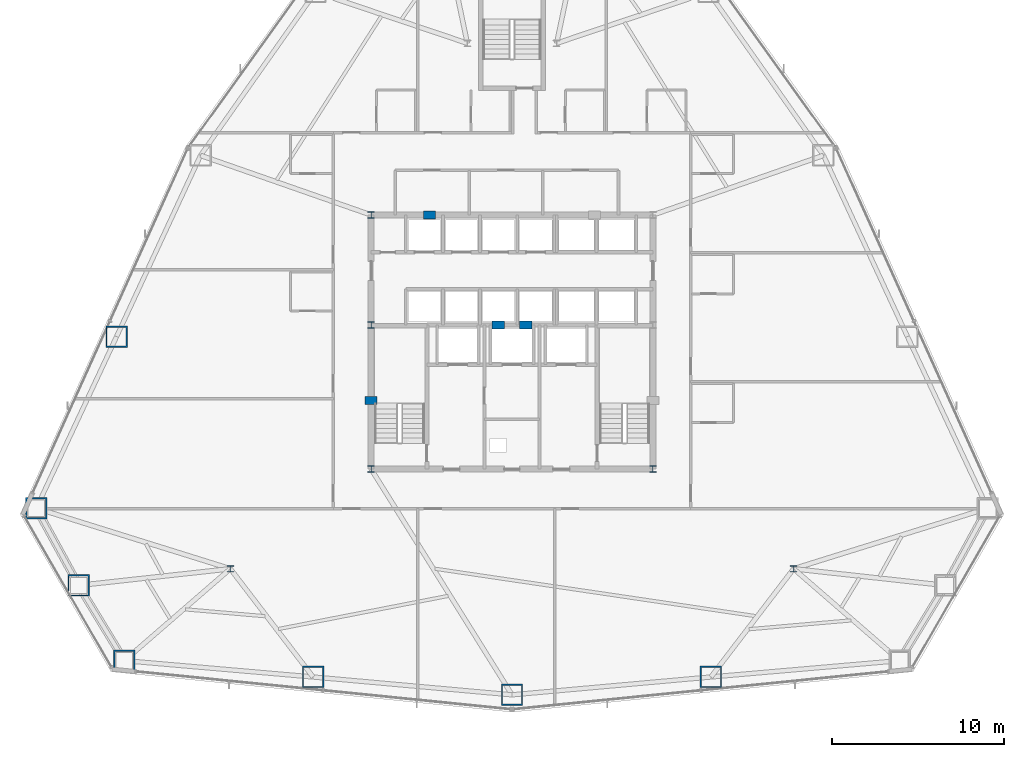
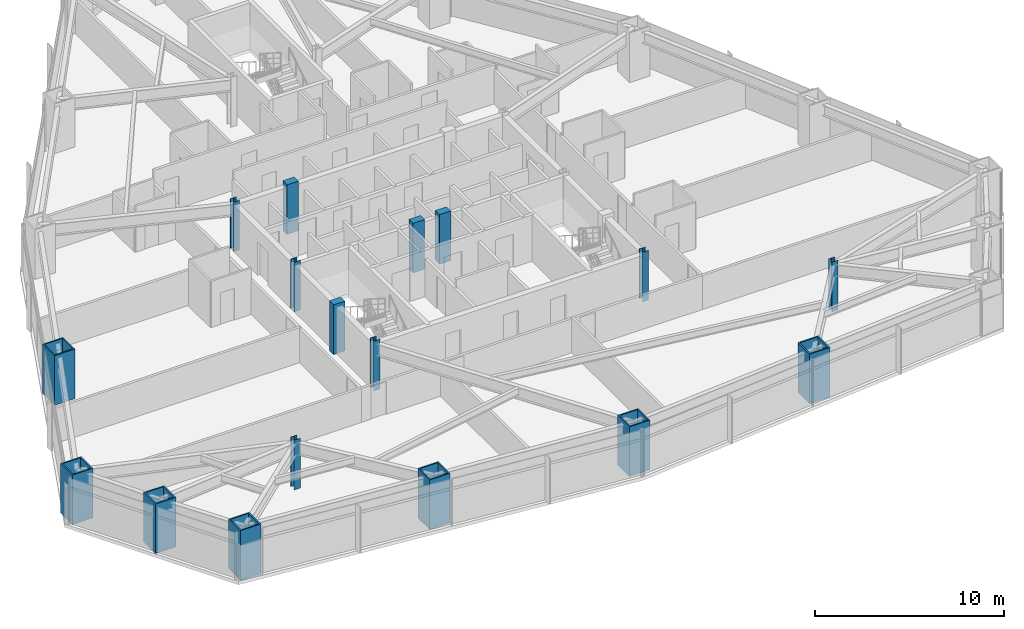
# One storey, part 1 of 12: 17 columns.
"""IFC4 building model written with IfcOpenShell, lengths in metres."""

from ifc_helpers import new_model, si_unit, direction, frame, origin, origin_2d, place, context, subcontext, project, spatial, rectangle, hollow_rectangle, i_section, extrude, material, material_profile, profile_set, type_object, element, save


model = new_model("IFC4")

# Units and contexts
model_context = context("Model", 3, precision=1e-05, world=origin(), true_north=direction((0.0, 1.0)))
body_context = subcontext(model_context, "Body", "Model", "MODEL_VIEW")
ifc_project = project(units=[si_unit("LENGTHUNIT", "METRE"), si_unit("AREAUNIT", "SQUARE_METRE"), si_unit("VOLUMEUNIT", "CUBIC_METRE"), si_unit("PLANEANGLEUNIT", "RADIAN"), si_unit("MASSUNIT", "GRAM", prefix="KILO")], contexts=[model_context])

# Site, building, storey
site_placement = place(None, origin())
site = spatial("IfcSite", under=ifc_project, at=site_placement, CompositionType="ELEMENT")
building_placement = place(site_placement, origin())
building = spatial("IfcBuilding", under=site, at=building_placement, Name="Varakhsha Concourse Tower", CompositionType="ELEMENT")
storey_placement = place(building_placement, frame((0.0, 0.0, 33.60009765625)))
storey = spatial("IfcBuildingStorey", under=building, at=storey_placement, Name="L08", CompositionType="ELEMENT", Elevation=33.60009765625)

# Columns
ifc_material_1 = material(Name="Structural Steel ASTM A992 Grade 50", Category="steel")
ifc_material_profile_1 = material_profile(ifc_material_1, i_section(OverallWidth=0.3740234375, OverallDepth=0.3720703125, WebThickness=0.01611328125, FlangeThickness=0.02587890625, at=origin_2d()), Name="W14X132")
ifc_profile_set_1 = profile_set([ifc_material_profile_1], Name="Structural Steel ASTM A992 Grade 50")
column_type_1 = type_object("IfcColumnType", Name="CL-CORE-W14X132", PredefinedType="COLUMN", material=ifc_profile_set_1)
for number, where, z_axis, x_axis, name in (
    (1, (31.800048828125, 16.39990234375, 0.0), (0.0, 0.0, 1.0), (1.0, 0.0, 0.0), "L08 Core Column CC-SW"),
    (2, (48.199951171875, 16.39990234375, 0.0), (0.0, 0.0, 1.0), (1.0, 0.0, 0.0), "L08 Core Column CC-SE"),
    (3, (31.800048828125, 24.800048828125, 0.0), (0.0, 0.0, 1.0), (1.0, 0.0, 0.0), "L08 Core Column CC-MW"),
    (4, (31.800048828125, 31.199951171875, 0.0), (0.0, 0.0, 1.0), (1.0, 0.0, 0.0), "L08 Core Column CC-NW"),
    (5, (23.60009765625, 10.60009765625, 0.0), (0.0, 0.0, 1.0), (1.0, 0.0, 0.0), "L08 Core Column SS-W"),
    (6, (56.39990234375, 10.60009765625, 0.0), (0.0, 0.0, 1.0), (1.0, 0.0, 0.0), "L08 Core Column SS-E"),
):
    element("IfcColumn", number, at=place(storey_placement, frame(where, z_axis=z_axis, x_axis=x_axis)), inside=storey, type_object=column_type_1, Name=name, PredefinedType="COLUMN", context=body_context, shape_type="SweptSolid", body=[
        extrude(i_section(OverallWidth=0.3740234375, OverallDepth=0.3720703125, WebThickness=0.01611328125, FlangeThickness=0.02587890625, at=origin_2d()), origin(), (0.0, 0.0, 1.0), 3.199951171875),
    ])
ifc_material_2 = material(Name="Concrete fc 65 MPa", Category="concrete")
ifc_material_profile_2 = material_profile(ifc_material_2, rectangle(XDim=0.699951171875, YDim=0.449951171875, at=origin_2d()), Name="RC 700x450")
ifc_profile_set_2 = profile_set([ifc_material_profile_2], Name="Concrete fc 65 MPa")
column_type_2 = type_object("IfcColumnType", Name="CL-PIL-700X450", PredefinedType="PILASTER", material=ifc_profile_set_2)
for number, where, z_axis, x_axis, name in (
    (7, (31.800048828125, 20.39990234375, 0.0), (0.0, 0.0, 1.0), (1.0, 0.0, 0.0), "L08 Core Boundary Pilaster PIL-W1"),
    (8, (35.199951171875, 31.199951171875, 0.0), (0.0, 0.0, 1.0), (1.0, 0.0, 0.0), "L08 Core Boundary Pilaster PIL-N1"),
    (9, (39.199951171875, 24.800048828125, 0.0), (0.0, 0.0, 1.0), (1.0, 0.0, 0.0), "L08 Core Boundary Pilaster PIL-M1"),
    (10, (40.800048828125, 24.800048828125, 0.0), (0.0, 0.0, 1.0), (1.0, 0.0, 0.0), "L08 Core Boundary Pilaster PIL-M2"),
):
    element("IfcColumn", number, at=place(storey_placement, frame(where, z_axis=z_axis, x_axis=x_axis)), inside=storey, type_object=column_type_2, Name=name, PredefinedType="PILASTER", context=body_context, shape_type="SweptSolid", body=[
        extrude(rectangle(XDim=0.699951171875, YDim=0.449951171875, at=origin_2d()), origin(), (0.0, 0.0, 1.0), 3.199951171875),
    ])
ifc_material_3 = material(Name="Structural Steel ASTM A572 Grade 50", Category="steel")
ifc_material_profile_3 = material_profile(ifc_material_3, hollow_rectangle(XDim=1.25, YDim=1.25, WallThickness=0.080078125, at=origin_2d()), Name="BOX 1250x1250x80")
ifc_profile_set_3 = profile_set([ifc_material_profile_3], Name="Structural Steel ASTM A572 Grade 50")
column_type_3 = type_object("IfcColumnType", Name="CL-TUBE-1250", PredefinedType="COLUMN", material=ifc_profile_set_3)
for number, where, z_axis, x_axis, name in (
    (11, (16.972900390625, 24.116455078125, 0.0), (0.0, 0.0, 1.0), (1.0, 0.0, 0.0), "L08 Framed-Tube Column TC06"),
    (12, (12.302734375, 14.125732421875, 0.0), (0.0, 0.0, 1.0), (1.0, 0.0, 0.0), "L08 Framed-Tube Column TC07"),
    (13, (14.763916015625, 9.6298828125, 0.0), (0.0, 0.0, 1.0), (1.0, 0.0, 0.0), "L08 Framed-Tube Column TC08"),
    (14, (17.427001953125, 5.250732421875, 0.0), (0.0, 0.0, 1.0), (1.0, 0.0, 0.0), "L08 Framed-Tube Column TC09"),
    (15, (28.4140625, 4.299560546875, 0.0), (0.0, 0.0, 1.0), (1.0, 0.0, 0.0), "L08 Framed-Tube Column TC10"),
    (16, (40.0, 3.260009765625, 0.0), (0.0, 0.0, 1.0), (1.0, 0.0, 0.0), "L08 Framed-Tube Column TC11"),
    (17, (51.5859375, 4.299560546875, 0.0), (0.0, 0.0, 1.0), (1.0, 0.0, 0.0), "L08 Framed-Tube Column TC12"),
):
    element("IfcColumn", number, at=place(storey_placement, frame(where, z_axis=z_axis, x_axis=x_axis)), inside=storey, type_object=column_type_3, Name=name, PredefinedType="COLUMN", context=body_context, shape_type="SweptSolid", body=[
        extrude(hollow_rectangle(XDim=1.25, YDim=1.25, WallThickness=0.080078125, at=origin_2d()), origin(), (0.0, 0.0, 1.0), 3.199951171875),
    ])

save(model, "model.ifc")
